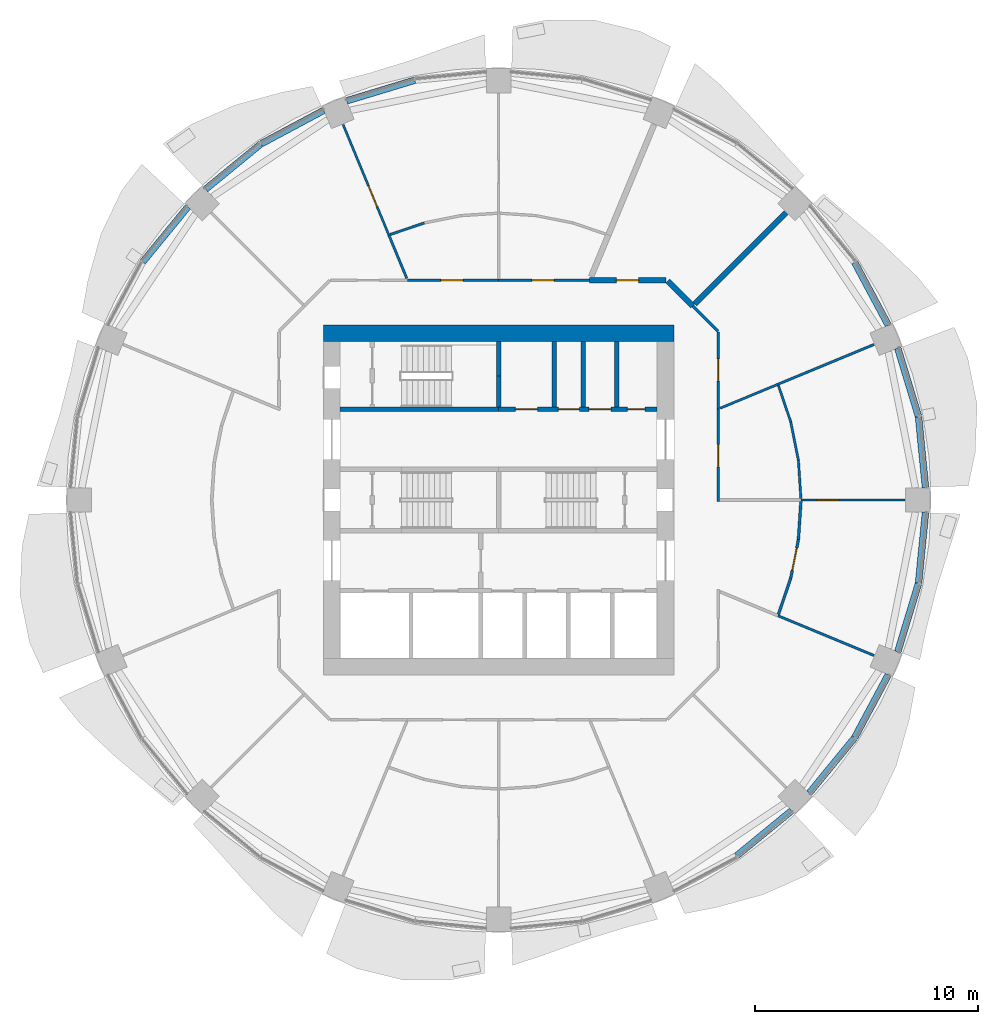
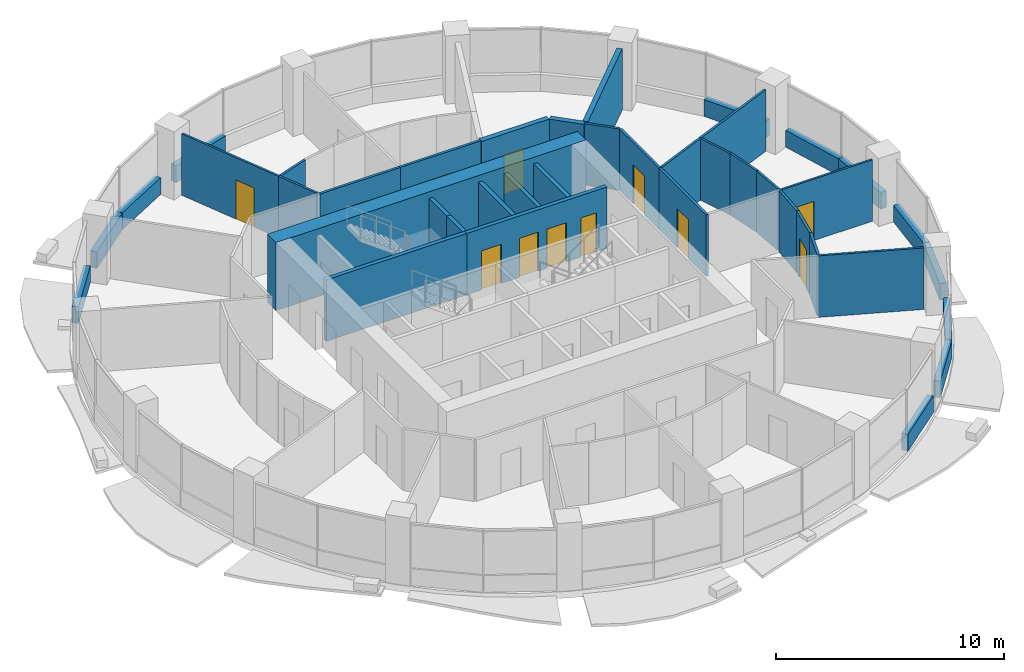
# One storey, part 10 of 15: 41 walls, 12 doors, 12 openings.
"""IFC4 building model written with IfcOpenShell, lengths in metres."""

from ifc_helpers import new_model, si_unit, direction, frame, frame_2d, origin, place, context, subcontext, project, spatial, rectangle, extrude, material, layer, layer_set, type_object, element, fill, save


model = new_model("IFC4")

# Units and contexts
model_context = context("Model", 3, precision=1e-05, world=origin(), true_north=direction((0.0, 1.0)))
body_context = subcontext(model_context, "Body", "Model", "MODEL_VIEW")
ifc_project = project(units=[si_unit("LENGTHUNIT", "METRE"), si_unit("AREAUNIT", "SQUARE_METRE"), si_unit("VOLUMEUNIT", "CUBIC_METRE"), si_unit("PLANEANGLEUNIT", "RADIAN"), si_unit("MASSUNIT", "GRAM", prefix="KILO")], contexts=[model_context])

# Site, building, storey
site_placement = place(None, origin())
site = spatial("IfcSite", under=ifc_project, at=site_placement, CompositionType="ELEMENT")
building_placement = place(site_placement, origin())
building = spatial("IfcBuilding", under=site, at=building_placement, Name="Polderwave Tower", CompositionType="ELEMENT")
storey_placement = place(building_placement, frame((0.0, 0.0, 72.75)))
storey = spatial("IfcBuildingStorey", under=building, at=storey_placement, Name="L18", CompositionType="ELEMENT", Elevation=72.75)

# Walls
ifc_material_1 = material(Name="Concrete C70/85", Category="concrete")
ifc_layer_1 = layer(ifc_material_1, 0.75)
ifc_layer_set_1 = layer_set([ifc_layer_1], Name="CORE WALL 750 C70/85")
wall_type_1 = type_object("IfcWallType", Name="CORE WALL 750 C70/85", PredefinedType="SHEAR", material=ifc_layer_set_1)
wall_1_placement = place(storey_placement, frame((-7.8740234375, 7.4990234375, 0.0), z_axis=(0.0, 0.0, 1.0), x_axis=(1.0, 0.0, 0.0)))
element("IfcWall", 1, at=wall_1_placement, inside=storey, type_object=wall_type_1, Name="ST-CORE-L18-N", PredefinedType="SHEAR", context=body_context, shape_type="SweptSolid", body=[
    extrude(rectangle(XDim=15.748046875, YDim=0.75, at=frame_2d((7.8740234375, 0.0))), origin(), (0.0, 0.0, 1.0), 3.64990234375),
])
ifc_material_2 = material(Name="Concrete C50/60 (board-marked)", Category="concrete")
ifc_layer_2 = layer(ifc_material_2, 0.300048828125)
ifc_layer_set_2 = layer_set([ifc_layer_2], Name="Concrete spandrel upstand C50/60")
wall_type_2 = type_object("IfcWallType", Name="Concrete spandrel upstand C50/60", PredefinedType="SOLIDWALL", material=ifc_layer_set_2)
wall_2_placement = place(storey_placement, frame((19.1845703125, 0.56396484375, 0.0), z_axis=(0.0, 0.0, 1.0), x_axis=(-0.098131861065, 0.995173420989, 0.0)))
element("IfcWall", 2, at=wall_2_placement, inside=storey, type_object=wall_type_2, Name="Spandrel L18 1a", PredefinedType="SOLIDWALL", context=body_context, shape_type="SweptSolid", body=[
    extrude(rectangle(XDim=3.189453125, YDim=0.300048828125, at=frame_2d((1.5947265625, 0.0))), origin(), (0.0, 0.0, 1.0), 0.89990234375),
])
wall_3_placement = place(storey_placement, frame((18.865478515625, 3.767333984375, 0.0), z_axis=(0.0, 0.0, 1.0), x_axis=(-0.290238876314, 0.956954228099, 0.0)))
element("IfcWall", 3, at=wall_3_placement, inside=storey, type_object=wall_type_2, Name="Spandrel L18 1b", PredefinedType="SOLIDWALL", context=body_context, shape_type="SweptSolid", body=[
    extrude(rectangle(XDim=3.190673828125, YDim=0.300048828125, at=frame_2d((1.59521484375, 0.0))), origin(), (0.0, 0.0, 1.0), 0.89990234375),
])
wall_4_placement = place(storey_placement, frame((17.5078125, 7.8623046875, 0.0), z_axis=(0.0, 0.0, 1.0), x_axis=(-0.471354692163, 0.8819437364, 0.0)))
element("IfcWall", 4, at=wall_4_placement, inside=storey, type_object=wall_type_2, Name="Spandrel L18 2a", PredefinedType="SOLIDWALL", context=body_context, shape_type="SweptSolid", body=[
    extrude(rectangle(XDim=3.190185546875, YDim=0.300048828125, at=frame_2d((1.59521484375, 0.0))), origin(), (0.0, 0.0, 1.0), 0.89990234375),
])
wall_5_placement = place(storey_placement, frame((-3.767333984375, 18.865478515625, 0.0), z_axis=(0.0, 0.0, 1.0), x_axis=(-0.956954228099, -0.290238876314, 0.0)))
element("IfcWall", 5, at=wall_5_placement, inside=storey, type_object=wall_type_2, Name="Spandrel L18 5b", PredefinedType="SOLIDWALL", context=body_context, shape_type="SweptSolid", body=[
    extrude(rectangle(XDim=3.190673828125, YDim=0.300048828125, at=frame_2d((1.59521484375, 0.0))), origin(), (0.0, 0.0, 1.0), 0.89990234375),
])
for number, where, z_axis, x_axis, name in (
    (6, (-7.8623046875, 17.5078125, 0.0), (0.0, 0.0, 1.0), (-0.8819437364, -0.471354692163, 0.0), "Spandrel L18 6a"),
    (7, (-10.70068359375, 15.987548828125, 0.0), (0.0, 0.0, 1.0), (-0.773240773387, -0.63411253447, 0.0), "Spandrel L18 6b"),
    (8, (-13.964599609375, 13.16748046875, 0.0), (0.0, 0.0, 1.0), (-0.63411253447, -0.773240773387, 0.0), "Spandrel L18 7a"),
    (9, (10.70068359375, -15.987548828125, 0.0), (0.0, 0.0, 1.0), (0.773240773387, 0.63411253447, 0.0), "Spandrel L18 14b"),
    (10, (13.964599609375, -13.16748046875, 0.0), (0.0, 0.0, 1.0), (0.63411253447, 0.773240773387, 0.0), "Spandrel L18 15a"),
    (11, (16.004150390625, -10.67578125, 0.0), (0.0, 0.0, 1.0), (0.471354692163, 0.8819437364, 0.0), "Spandrel L18 15b"),
):
    element("IfcWall", number, at=place(storey_placement, frame(where, z_axis=z_axis, x_axis=x_axis)), inside=storey, type_object=wall_type_2, Name=name, PredefinedType="SOLIDWALL", context=body_context, shape_type="SweptSolid", body=[
        extrude(rectangle(XDim=3.190185546875, YDim=0.300048828125, at=frame_2d((1.59521484375, 0.0))), origin(), (0.0, 0.0, 1.0), 0.89990234375),
    ])
wall_6_placement = place(storey_placement, frame((17.939453125, -6.820556640625, 0.0), z_axis=(0.0, 0.0, 1.0), x_axis=(0.290238876314, 0.956954228099, 0.0)))
element("IfcWall", 12, at=wall_6_placement, inside=storey, type_object=wall_type_2, Name="Spandrel L18 16a", PredefinedType="SOLIDWALL", context=body_context, shape_type="SweptSolid", body=[
    extrude(rectangle(XDim=3.190673828125, YDim=0.300048828125, at=frame_2d((1.59521484375, 0.0))), origin(), (0.0, 0.0, 1.0), 0.89990234375),
])
wall_7_placement = place(storey_placement, frame((18.87158203125, -3.738037109375, 0.0), z_axis=(0.0, 0.0, 1.0), x_axis=(0.098131861065, 0.995173420989, 0.0)))
element("IfcWall", 13, at=wall_7_placement, inside=storey, type_object=wall_type_2, Name="Spandrel L18 16b", PredefinedType="SOLIDWALL", context=body_context, shape_type="SweptSolid", body=[
    extrude(rectangle(XDim=3.189453125, YDim=0.300048828125, at=frame_2d((1.5947265625, 0.0))), origin(), (0.0, 0.0, 1.0), 0.89990234375),
])
ifc_material_3 = material(Name="Gypsum board partition")
ifc_layer_3 = layer(ifc_material_3, 0.199951171875)
ifc_layer_set_3 = layer_set([ifc_layer_3], Name="Core room partition 200")
wall_type_3 = type_object("IfcWallType", Name="Core room partition 200", PredefinedType="PARTITIONING", material=ifc_layer_set_3)
for number, where, z_axis, x_axis, name in (
    (14, (2.506591796875, 4.174072265625, 0.0), (0.0, 0.0, 1.0), (0.0, 1.0, 0.0), "L18 room partition N1"),
    (15, (3.813720703125, 4.174072265625, 0.0), (0.0, 0.0, 1.0), (0.0, 1.0, 0.0), "L18 room partition N2"),
):
    element("IfcWall", number, at=place(storey_placement, frame(where, z_axis=z_axis, x_axis=x_axis)), inside=storey, type_object=wall_type_3, Name=name, PredefinedType="PARTITIONING", context=body_context, shape_type="SweptSolid", body=[
        extrude(rectangle(XDim=2.949951171875, YDim=0.199951171875, at=frame_2d((1.47509765625, 0.0))), origin(), (0.0, 0.0, 1.0), 3.300048828125),
    ])
ifc_material_4 = material(Name="Concrete C50/60", Category="concrete")
ifc_layer_4 = layer(ifc_material_4, 0.199951171875)
ifc_layer_set_4 = layer_set([ifc_layer_4], Name="Core web wall 200")
wall_type_4 = type_object("IfcWallType", Name="Core web wall 200", PredefinedType="SHEAR", material=ifc_layer_set_4)
wall_8_placement = place(storey_placement, frame((-7.1240234375, 4.073974609375, 0.0), z_axis=(0.0, 0.0, 1.0), x_axis=(1.0, 0.0, 0.0)))
element("IfcWall", 16, at=wall_8_placement, inside=storey, type_object=wall_type_4, Name="L18 north front wall 1", PredefinedType="SHEAR", context=body_context, shape_type="SweptSolid", body=[
    extrude(rectangle(XDim=7.1240234375, YDim=0.199951171875, at=frame_2d((3.56201171875, 0.0))), origin(), (0.0, 0.0, 1.0), 3.300048828125),
])

# Wall, openings, doors
wall_9_placement = place(storey_placement, frame((0.0, 4.073974609375, 0.0), z_axis=(0.0, 0.0, 1.0), x_axis=(1.0, 0.0, 0.0)))
wall_9 = element("IfcWall", 17, at=wall_9_placement, inside=storey, type_object=wall_type_4, Name="L18 north front wall 2", PredefinedType="SHEAR", context=body_context, shape_type="SweptSolid", body=[
    extrude(rectangle(XDim=7.1240234375, YDim=0.199951171875, at=frame_2d((3.56201171875, 0.0))), origin(), (0.0, 0.0, 1.0), 3.300048828125),
])
opening_1_placement = place(wall_9_placement, frame((0.75341796875, 0.0, 0.0)))
opening_1 = element("IfcOpeningElement", 18, at=opening_1_placement, cuts=wall_9, Name="Opening L18-D14", PredefinedType="OPENING", context=body_context, shape_type="SweptSolid", body=[
    extrude(rectangle(XDim=1.0, YDim=2.10009765625, at=frame_2d((0.5, 1.050048828125))), frame((0.0, 0.10986328125, 0.0), z_axis=(0.0, -1.0, 0.0), x_axis=(1.0, 0.0, 0.0)), (0.0, 0.0, 1.0), 0.219970703125),
])
opening_2_placement = place(wall_9_placement, frame((2.685302734375, 0.0, 0.0)))
opening_2 = element("IfcOpeningElement", 19, at=opening_2_placement, cuts=wall_9, Name="Opening L18-D15", PredefinedType="OPENING", context=body_context, shape_type="SweptSolid", body=[
    extrude(rectangle(XDim=0.949951171875, YDim=2.10009765625, at=frame_2d((0.47509765625, 1.050048828125))), frame((0.0, 0.10986328125, 0.0), z_axis=(0.0, -1.0, 0.0), x_axis=(1.0, 0.0, 0.0)), (0.0, 0.0, 1.0), 0.219970703125),
])
opening_3_placement = place(wall_9_placement, frame((4.0595703125, 0.0, 0.0)))
opening_3 = element("IfcOpeningElement", 20, at=opening_3_placement, cuts=wall_9, Name="Opening L18-D16", PredefinedType="OPENING", context=body_context, shape_type="SweptSolid", body=[
    extrude(rectangle(XDim=1.0, YDim=2.10009765625, at=frame_2d((0.5, 1.050048828125))), frame((0.0, 0.10986328125, 0.0), z_axis=(0.0, -1.0, 0.0), x_axis=(1.0, 0.0, 0.0)), (0.0, 0.0, 1.0), 0.219970703125),
])
opening_4_placement = place(wall_9_placement, frame((5.789794921875, 0.0, 0.0)))
opening_4 = element("IfcOpeningElement", 21, at=opening_4_placement, cuts=wall_9, Name="Opening L18-D17", PredefinedType="OPENING", context=body_context, shape_type="SweptSolid", body=[
    extrude(rectangle(XDim=0.800048828125, YDim=2.10009765625, at=frame_2d((0.39990234375, 1.050048828125))), frame((0.0, 0.10986328125, 0.0), z_axis=(0.0, -1.0, 0.0), x_axis=(1.0, 0.0, 0.0)), (0.0, 0.0, 1.0), 0.219970703125),
])
ifc_material_5 = material(Name="Steel fire door", Category="steel")
door_type_1 = type_object("IfcDoorType", Name="Riser door 800", OperationType="NOTDEFINED", PredefinedType="DOOR", material=ifc_material_5)
door_1_placement = place(opening_4_placement, frame((0.800048828125, 0.0, 0.0), z_axis=(0.0, 0.0, 1.0), x_axis=(-1.0, 0.0, 0.0)))
door_1 = element("IfcDoor", 22, at=door_1_placement, inside=storey, type_object=door_type_1, Name="Riser door", OperationType="SINGLE_SWING_LEFT", OverallHeight=2.10009765625, OverallWidth=0.800048828125, PredefinedType="DOOR", context=body_context, shape_type="SweptSolid", body=[
    extrude(rectangle(XDim=0.800048828125, YDim=2.10009765625, at=frame_2d((0.39990234375, 1.050048828125))), frame((0.0, 0.02490234375, 0.0), z_axis=(0.0, -1.0, 0.0), x_axis=(1.0, 0.0, 0.0)), (0.0, 0.0, 1.0), 0.050048828125),
])
fill(opening_4, door_1)
ifc_material_6 = material(Name="Timber door leaf", Category="wood")
door_type_2 = type_object("IfcDoorType", Name="Room door 1000", OperationType="NOTDEFINED", PredefinedType="DOOR", material=ifc_material_6)
door_2_placement = place(opening_1_placement, origin())
door_2 = element("IfcDoor", 23, at=door_2_placement, inside=storey, type_object=door_type_2, Name="Seed store door", OperationType="SINGLE_SWING_LEFT", OverallHeight=2.10009765625, OverallWidth=1.0, PredefinedType="DOOR", context=body_context, shape_type="SweptSolid", body=[
    extrude(rectangle(XDim=1.0, YDim=2.10009765625, at=frame_2d((0.5, 1.050048828125))), frame((0.0, 0.02490234375, 0.0), z_axis=(0.0, -1.0, 0.0), x_axis=(1.0, 0.0, 0.0)), (0.0, 0.0, 1.0), 0.050048828125),
])
fill(opening_1, door_2)
door_3_placement = place(opening_3_placement, origin())
door_3 = element("IfcDoor", 24, at=door_3_placement, inside=storey, type_object=door_type_2, Name="Staff WC door", OperationType="SINGLE_SWING_RIGHT", OverallHeight=2.10009765625, OverallWidth=1.0, PredefinedType="DOOR", context=body_context, shape_type="SweptSolid", body=[
    extrude(rectangle(XDim=1.0, YDim=2.10009765625, at=frame_2d((0.5, 1.050048828125))), frame((0.0, 0.02490234375, 0.0), z_axis=(0.0, -1.0, 0.0), x_axis=(1.0, 0.0, 0.0)), (0.0, 0.0, 1.0), 0.050048828125),
])
fill(opening_3, door_3)
door_type_3 = type_object("IfcDoorType", Name="Room door 950", OperationType="NOTDEFINED", PredefinedType="DOOR", material=ifc_material_6)
door_4_placement = place(opening_2_placement, origin())
door_4 = element("IfcDoor", 25, at=door_4_placement, inside=storey, type_object=door_type_3, Name="Cleaner's store door", OperationType="SINGLE_SWING_LEFT", OverallHeight=2.10009765625, OverallWidth=0.949951171875, PredefinedType="DOOR", context=body_context, shape_type="SweptSolid", body=[
    extrude(rectangle(XDim=0.949951171875, YDim=2.10009765625, at=frame_2d((0.47509765625, 1.050048828125))), frame((0.0, 0.02490234375, 0.0), z_axis=(0.0, -1.0, 0.0), x_axis=(1.0, 0.0, 0.0)), (0.0, 0.0, 1.0), 0.050048828125),
])
fill(opening_2, door_4)

# Walls
wall_10_placement = place(storey_placement, frame((0.0, 4.174072265625, 0.0), z_axis=(0.0, 0.0, 1.0), x_axis=(0.0, 1.0, 0.0)))
element("IfcWall", 26, at=wall_10_placement, inside=storey, type_object=wall_type_4, Name="L18 stair C wall south", PredefinedType="SHEAR", context=body_context, shape_type="SweptSolid", body=[
    extrude(rectangle(XDim=1.39990234375, YDim=0.199951171875, at=frame_2d((0.699951171875, 0.0))), origin(), (0.0, 0.0, 1.0), 3.300048828125),
])
wall_11_placement = place(storey_placement, frame((0.0, 5.573974609375, 0.0), z_axis=(0.0, 0.0, 1.0), x_axis=(0.0, 1.0, 0.0)))
element("IfcWall", 27, at=wall_11_placement, inside=storey, type_object=wall_type_4, Name="L18 stair C wall north", PredefinedType="SHEAR", context=body_context, shape_type="SweptSolid", body=[
    extrude(rectangle(XDim=1.550048828125, YDim=0.199951171875, at=frame_2d((0.77490234375, 0.0))), origin(), (0.0, 0.0, 1.0), 3.300048828125),
])

# Wall, opening, door
ifc_material_7 = material(Name="Fire-resisting board on steel studs", Category="steel")
ifc_layer_5 = layer(ifc_material_7, 0.125)
ifc_layer_set_5 = layer_set([ifc_layer_5], Name="Corridor wall 125 mm EI 60")
wall_type_5 = type_object("IfcWallType", Name="Corridor wall 125 mm EI 60", PredefinedType="PARTITIONING", material=ifc_layer_set_5)
wall_12_placement = place(storey_placement, frame((9.8740234375, 4.08984375, 0.0), z_axis=(0.0, 0.0, 1.0), x_axis=(0.0, -1.0, 0.0)))
wall_12 = element("IfcWall", 28, at=wall_12_placement, inside=storey, type_object=wall_type_5, Name="IN-L18-W001", PredefinedType="PARTITIONING", context=body_context, shape_type="SweptSolid", body=[
    extrude(rectangle(XDim=4.15234375, YDim=0.125, at=frame_2d((2.076171875, 0.0))), origin(), (0.0, 0.0, 1.0), 3.300048828125),
])
opening_5_placement = place(wall_12_placement, frame((1.60009765625, 0.0, 0.0)))
opening_5 = element("IfcOpeningElement", 29, at=opening_5_placement, cuts=wall_12, Name="Opening L18-D50", PredefinedType="OPENING", context=body_context, shape_type="SweptSolid", body=[
    extrude(rectangle(XDim=1.0, YDim=2.10009765625, at=frame_2d((0.5, 1.050048828125))), frame((0.0, 0.072509765625, 0.0), z_axis=(0.0, -1.0, 0.0), x_axis=(1.0, 0.0, 0.0)), (0.0, 0.0, 1.0), 0.14501953125),
])
ifc_material_8 = material(Name="Timber fire door leaf", Category="wood")
door_type_4 = type_object("IfcDoorType", Name="Fire door FD30S 1000 x 2100", OperationType="NOTDEFINED", PredefinedType="DOOR", material=ifc_material_8)
door_5_placement = place(opening_5_placement, origin())
door_5 = element("IfcDoor", 30, at=door_5_placement, inside=storey, type_object=door_type_4, Name="Door L18-D50", OperationType="SINGLE_SWING_RIGHT", OverallHeight=2.10009765625, OverallWidth=1.0, PredefinedType="DOOR", context=body_context, shape_type="SweptSolid", body=[
    extrude(rectangle(XDim=1.0, YDim=2.10009765625, at=frame_2d((0.5, 1.050048828125))), frame((0.0, 0.02490234375, 0.0), z_axis=(0.0, -1.0, 0.0), x_axis=(1.0, 0.0, 0.0)), (0.0, 0.0, 1.0), 0.050048828125),
])
fill(opening_5, door_5)

# Wall
wall_13_placement = place(storey_placement, frame((8.722412109375, 8.722412109375, 0.0), z_axis=(0.0, 0.0, 1.0), x_axis=(0.70718294931, -0.707030604857, 0.0)))
element("IfcWall", 31, at=wall_13_placement, inside=storey, type_object=wall_type_5, Name="IN-L18-W002", PredefinedType="PARTITIONING", context=body_context, shape_type="SweptSolid", body=[
    extrude(rectangle(XDim=1.6025390625, YDim=0.125, at=frame_2d((0.80126953125, 0.0))), origin(), (0.0, 0.0, 1.0), 3.300048828125),
])

# Wall, opening, door
wall_14_placement = place(storey_placement, frame((9.8740234375, 7.545166015625, 0.0), z_axis=(0.0, 0.0, 1.0), x_axis=(0.0, -1.0, 0.0)))
wall_14 = element("IfcWall", 32, at=wall_14_placement, inside=storey, type_object=wall_type_5, Name="IN-L18-W003", PredefinedType="PARTITIONING", context=body_context, shape_type="SweptSolid", body=[
    extrude(rectangle(XDim=3.455322265625, YDim=0.125, at=frame_2d((1.7275390625, 0.0))), origin(), (0.0, 0.0, 1.0), 3.300048828125),
])
opening_6_placement = place(wall_14_placement, frame((1.199951171875, 0.0, 0.0)))
opening_6 = element("IfcOpeningElement", 33, at=opening_6_placement, cuts=wall_14, Name="Opening L18-D51", PredefinedType="OPENING", context=body_context, shape_type="SweptSolid", body=[
    extrude(rectangle(XDim=1.0, YDim=2.10009765625, at=frame_2d((0.5, 1.050048828125))), frame((0.0, 0.072509765625, 0.0), z_axis=(0.0, -1.0, 0.0), x_axis=(1.0, 0.0, 0.0)), (0.0, 0.0, 1.0), 0.14501953125),
])
door_6_placement = place(opening_6_placement, origin())
door_6 = element("IfcDoor", 34, at=door_6_placement, inside=storey, type_object=door_type_4, Name="Door L18-D51", OperationType="SINGLE_SWING_LEFT", OverallHeight=2.10009765625, OverallWidth=1.0, PredefinedType="DOOR", context=body_context, shape_type="SweptSolid", body=[
    extrude(rectangle(XDim=1.0, YDim=2.10009765625, at=frame_2d((0.5, 1.050048828125))), frame((0.0, 0.02490234375, 0.0), z_axis=(0.0, -1.0, 0.0), x_axis=(1.0, 0.0, 0.0)), (0.0, 0.0, 1.0), 0.050048828125),
])
fill(opening_6, door_6)

wall_15_placement = place(storey_placement, frame((0.0, 9.8740234375, 0.0), z_axis=(0.0, 0.0, 1.0), x_axis=(1.0, 0.0, 0.0)))
wall_15 = element("IfcWall", 35, at=wall_15_placement, inside=storey, type_object=wall_type_5, Name="IN-L18-W008", PredefinedType="PARTITIONING", context=body_context, shape_type="SweptSolid", body=[
    extrude(rectangle(XDim=4.08984375, YDim=0.125, at=frame_2d((2.044921875, 0.0))), origin(), (0.0, 0.0, 1.0), 3.300048828125),
])
opening_7_placement = place(wall_15_placement, frame((1.5, 0.0, 0.0)))
opening_7 = element("IfcOpeningElement", 36, at=opening_7_placement, cuts=wall_15, Name="Opening L18-D54", PredefinedType="OPENING", context=body_context, shape_type="SweptSolid", body=[
    extrude(rectangle(XDim=1.0, YDim=2.10009765625, at=frame_2d((0.5, 1.050048828125))), frame((0.0, 0.072509765625, 0.0), z_axis=(0.0, -1.0, 0.0), x_axis=(1.0, 0.0, 0.0)), (0.0, 0.0, 1.0), 0.14501953125),
])
door_7_placement = place(opening_7_placement, origin())
door_7 = element("IfcDoor", 37, at=door_7_placement, inside=storey, type_object=door_type_4, Name="Door L18-D54", OperationType="SINGLE_SWING_LEFT", OverallHeight=2.10009765625, OverallWidth=1.0, PredefinedType="DOOR", context=body_context, shape_type="SweptSolid", body=[
    extrude(rectangle(XDim=1.0, YDim=2.10009765625, at=frame_2d((0.5, 1.050048828125))), frame((0.0, 0.02490234375, 0.0), z_axis=(0.0, -1.0, 0.0), x_axis=(1.0, 0.0, 0.0)), (0.0, 0.0, 1.0), 0.050048828125),
])
fill(opening_7, door_7)

wall_16_placement = place(storey_placement, frame((-4.08984375, 9.8740234375, 0.0), z_axis=(0.0, 0.0, 1.0), x_axis=(1.0, 0.0, 0.0)))
wall_16 = element("IfcWall", 38, at=wall_16_placement, inside=storey, type_object=wall_type_5, Name="IN-L18-W009", PredefinedType="PARTITIONING", context=body_context, shape_type="SweptSolid", body=[
    extrude(rectangle(XDim=4.08984375, YDim=0.125, at=frame_2d((2.044921875, 0.0))), origin(), (0.0, 0.0, 1.0), 3.300048828125),
])
opening_8_placement = place(wall_16_placement, frame((1.5, 0.0, 0.0)))
opening_8 = element("IfcOpeningElement", 39, at=opening_8_placement, cuts=wall_16, Name="Opening L18-D55", PredefinedType="OPENING", context=body_context, shape_type="SweptSolid", body=[
    extrude(rectangle(XDim=1.0, YDim=2.10009765625, at=frame_2d((0.5, 1.050048828125))), frame((0.0, 0.072509765625, 0.0), z_axis=(0.0, -1.0, 0.0), x_axis=(1.0, 0.0, 0.0)), (0.0, 0.0, 1.0), 0.14501953125),
])
door_8_placement = place(opening_8_placement, origin())
door_8 = element("IfcDoor", 40, at=door_8_placement, inside=storey, type_object=door_type_4, Name="Door L18-D55", OperationType="SINGLE_SWING_LEFT", OverallHeight=2.10009765625, OverallWidth=1.0, PredefinedType="DOOR", context=body_context, shape_type="SweptSolid", body=[
    extrude(rectangle(XDim=1.0, YDim=2.10009765625, at=frame_2d((0.5, 1.050048828125))), frame((0.0, 0.02490234375, 0.0), z_axis=(0.0, -1.0, 0.0), x_axis=(1.0, 0.0, 0.0)), (0.0, 0.0, 1.0), 0.050048828125),
])
fill(opening_8, door_8)

# Wall
wall_17_placement = place(storey_placement, frame((13.12548828125, -3.521240234375, 0.0), z_axis=(0.0, 0.0, 1.0), x_axis=(-0.321415455279, -0.946938279461, 0.0)))
element("IfcWall", 41, at=wall_17_placement, inside=storey, type_object=wall_type_5, Name="IN-L18-W069", PredefinedType="PARTITIONING", context=body_context, shape_type="SweptSolid", body=[
    extrude(rectangle(XDim=1.706787109375, YDim=0.125, at=frame_2d((0.853515625, 0.0))), origin(), (0.0, 0.0, 1.0), 3.300048828125),
])

# Wall, opening, door
wall_18_placement = place(storey_placement, frame((13.472900390625, -1.77783203125, 0.0), z_axis=(0.0, 0.0, 1.0), x_axis=(-0.195081294896, -0.980787075966, 0.0)))
wall_18 = element("IfcWall", 42, at=wall_18_placement, inside=storey, type_object=wall_type_5, Name="IN-L18-W070", PredefinedType="PARTITIONING", context=body_context, shape_type="SweptSolid", body=[
    extrude(rectangle(XDim=1.76953125, YDim=0.125, at=frame_2d((0.884765625, 0.0))), origin(), (0.0, 0.0, 1.0), 3.300048828125),
])
opening_9_placement = place(wall_18_placement, frame((0.39990234375, 0.0, 0.0)))
opening_9 = element("IfcOpeningElement", 43, at=opening_9_placement, cuts=wall_18, Name="Opening L18-D69", PredefinedType="OPENING", context=body_context, shape_type="SweptSolid", body=[
    extrude(rectangle(XDim=1.0, YDim=2.10009765625, at=frame_2d((0.5, 1.050048828125))), frame((0.0, 0.072509765625, 0.0), z_axis=(0.0, -1.0, 0.0), x_axis=(1.0, 0.0, 0.0)), (0.0, 0.0, 1.0), 0.14501953125),
])
door_9_placement = place(opening_9_placement, origin())
door_9 = element("IfcDoor", 44, at=door_9_placement, inside=storey, type_object=door_type_4, Name="Door L18-D69", OperationType="SINGLE_SWING_RIGHT", OverallHeight=2.10009765625, OverallWidth=1.0, PredefinedType="DOOR", context=body_context, shape_type="SweptSolid", body=[
    extrude(rectangle(XDim=1.0, YDim=2.10009765625, at=frame_2d((0.5, 1.050048828125))), frame((0.0, 0.02490234375, 0.0), z_axis=(0.0, -1.0, 0.0), x_axis=(1.0, 0.0, 0.0)), (0.0, 0.0, 1.0), 0.050048828125),
])
fill(opening_9, door_9)

# Wall
wall_19_placement = place(storey_placement, frame((13.585693359375, -0.066650390625, 0.0), z_axis=(0.0, 0.0, 1.0), x_axis=(-0.06537019983, -0.997861081, 0.0)))
element("IfcWall", 45, at=wall_19_placement, inside=storey, type_object=wall_type_5, Name="IN-L18-W071", PredefinedType="PARTITIONING", context=body_context, shape_type="SweptSolid", body=[
    extrude(rectangle(XDim=1.706787109375, YDim=0.125, at=frame_2d((0.853515625, 0.0))), origin(), (0.0, 0.0, 1.0), 3.300048828125),
])

# Wall, opening, door
ifc_material_9 = material(Name="Plasterboard on steel studs", Category="steel")
ifc_layer_6 = layer(ifc_material_9, 0.10009765625)
ifc_layer_set_6 = layer_set([ifc_layer_6], Name="Partition 100 mm plasterboard on steel studs")
wall_type_6 = type_object("IfcWallType", Name="Partition 100 mm plasterboard on steel studs", PredefinedType="PARTITIONING", material=ifc_layer_set_6)
wall_20_placement = place(storey_placement, frame((13.590087890625, 0.0, 0.0), z_axis=(0.0, 0.0, 1.0), x_axis=(1.0, 0.0, 0.0)))
wall_20 = element("IfcWall", 46, at=wall_20_placement, inside=storey, type_object=wall_type_6, Name="IN-L18-W028", PredefinedType="PARTITIONING", context=body_context, shape_type="SweptSolid", body=[
    extrude(rectangle(XDim=4.669921875, YDim=0.10009765625, at=frame_2d((2.3349609375, 0.0))), origin(), (0.0, 0.0, 1.0), 3.300048828125),
])
opening_10_placement = place(wall_20_placement, frame((0.699951171875, 0.0, 0.0)))
opening_10 = element("IfcOpeningElement", 47, at=opening_10_placement, cuts=wall_20, Name="Opening L18-D63", PredefinedType="OPENING", context=body_context, shape_type="SweptSolid", body=[
    extrude(rectangle(XDim=1.0, YDim=2.10009765625, at=frame_2d((0.5, 1.050048828125))), frame((0.0, 0.06005859375, 0.0), z_axis=(0.0, -1.0, 0.0), x_axis=(1.0, 0.0, 0.0)), (0.0, 0.0, 1.0), 0.1201171875),
])
ifc_material_10 = material(Name="Timber veneer door leaf", Category="wood")
door_type_5 = type_object("IfcDoorType", Name="Single door 1000 x 2100", OperationType="NOTDEFINED", PredefinedType="DOOR", material=ifc_material_10)
door_10_placement = place(opening_10_placement, origin())
door_10 = element("IfcDoor", 48, at=door_10_placement, inside=storey, type_object=door_type_5, Name="Door L18-D63", OperationType="SINGLE_SWING_LEFT", OverallHeight=2.10009765625, OverallWidth=1.0, PredefinedType="DOOR", context=body_context, shape_type="SweptSolid", body=[
    extrude(rectangle(XDim=1.0, YDim=2.10009765625, at=frame_2d((0.5, 1.050048828125))), frame((0.0, 0.02490234375, 0.0), z_axis=(0.0, -1.0, 0.0), x_axis=(1.0, 0.0, 0.0)), (0.0, 0.0, 1.0), 0.050048828125),
])
fill(opening_10, door_10)

wall_21_placement = place(storey_placement, frame((-6.98779296875, 16.8701171875, 0.0), z_axis=(0.0, 0.0, 1.0), x_axis=(0.382658286204, -0.923889947991, 0.0)))
wall_21 = element("IfcWall", 49, at=wall_21_placement, inside=storey, type_object=wall_type_6, Name="IN-L18-W041", PredefinedType="PARTITIONING", context=body_context, shape_type="SweptSolid", body=[
    extrude(rectangle(XDim=5.3701171875, YDim=0.10009765625, at=frame_2d((2.68505859375, 0.0))), origin(), (0.0, 0.0, 1.0), 3.300048828125),
])
opening_11_placement = place(wall_21_placement, frame((3.0, 0.0, 0.0)))
opening_11 = element("IfcOpeningElement", 50, at=opening_11_placement, cuts=wall_21, Name="Opening L18-D65", PredefinedType="OPENING", context=body_context, shape_type="SweptSolid", body=[
    extrude(rectangle(XDim=1.0, YDim=2.10009765625, at=frame_2d((0.5, 1.050048828125))), frame((0.0, 0.06005859375, 0.0), z_axis=(0.0, -1.0, 0.0), x_axis=(1.0, 0.0, 0.0)), (0.0, 0.0, 1.0), 0.1201171875),
])
door_11_placement = place(opening_11_placement, origin())
door_11 = element("IfcDoor", 51, at=door_11_placement, inside=storey, type_object=door_type_5, Name="Door L18-D65", OperationType="SINGLE_SWING_RIGHT", OverallHeight=2.10009765625, OverallWidth=1.0, PredefinedType="DOOR", context=body_context, shape_type="SweptSolid", body=[
    extrude(rectangle(XDim=1.0, YDim=2.10009765625, at=frame_2d((0.5, 1.050048828125))), frame((0.0, 0.02490234375, 0.0), z_axis=(0.0, -1.0, 0.0), x_axis=(1.0, 0.0, 0.0)), (0.0, 0.0, 1.0), 0.050048828125),
])
fill(opening_11, door_11)

# Walls
ifc_material_11 = material(Name="Moisture-resistant board on steel studs, tiled", Category="steel")
ifc_layer_7 = layer(ifc_material_11, 0.10498046875)
ifc_layer_set_7 = layer_set([ifc_layer_7], Name="Partition 105 mm wet room board and tile")
wall_type_7 = type_object("IfcWallType", Name="Partition 105 mm wet room board and tile", PredefinedType="PARTITIONING", material=ifc_layer_set_7)
wall_22_placement = place(storey_placement, frame((12.57421875, 5.145263671875, 0.0), z_axis=(0.0, 0.0, 1.0), x_axis=(0.32147409201, -0.946918374606, 0.0)))
element("IfcWall", 52, at=wall_22_placement, inside=storey, type_object=wall_type_7, Name="IN-L18-W022", PredefinedType="PARTITIONING", context=body_context, shape_type="SweptSolid", body=[
    extrude(rectangle(XDim=1.715576171875, YDim=0.10498046875, at=frame_2d((0.85791015625, 0.0))), origin(), (0.0, 0.0, 1.0), 3.300048828125),
])
wall_23_placement = place(storey_placement, frame((13.127685546875, 3.513916015625, 0.0), z_axis=(0.0, 0.0, 1.0), x_axis=(0.194975762397, -0.980808060773, 0.0)))
element("IfcWall", 53, at=wall_23_placement, inside=storey, type_object=wall_type_7, Name="IN-L18-W023", PredefinedType="PARTITIONING", context=body_context, shape_type="SweptSolid", body=[
    extrude(rectangle(XDim=1.7705078125, YDim=0.10498046875, at=frame_2d((0.88525390625, 0.0))), origin(), (0.0, 0.0, 1.0), 3.300048828125),
])
wall_24_placement = place(storey_placement, frame((13.473876953125, 1.7705078125, 0.0), z_axis=(0.0, 0.0, 1.0), x_axis=(0.065456571456, -0.997855419013, 0.0)))
element("IfcWall", 54, at=wall_24_placement, inside=storey, type_object=wall_type_7, Name="IN-L18-W024", PredefinedType="PARTITIONING", context=body_context, shape_type="SweptSolid", body=[
    extrude(rectangle(XDim=1.708251953125, YDim=0.10498046875, at=frame_2d((0.85400390625, 0.0))), origin(), (0.0, 0.0, 1.0), 3.300048828125),
])
wall_25_placement = place(storey_placement, frame((9.95654296875, 4.1240234375, 0.0), z_axis=(0.0, 0.0, 1.0), x_axis=(0.923858155589, 0.382735036745, 0.0)))
element("IfcWall", 55, at=wall_25_placement, inside=storey, type_object=wall_type_7, Name="IN-L18-W025", PredefinedType="PARTITIONING", context=body_context, shape_type="SweptSolid", body=[
    extrude(rectangle(XDim=2.81298828125, YDim=0.10498046875, at=frame_2d((1.406494140625, 0.0))), origin(), (0.0, 0.0, 1.0), 3.300048828125),
])
ifc_material_12 = material(Name="Acoustic double plasterboard on steel studs", Category="steel")
ifc_layer_8 = layer(ifc_material_12, 0.110107421875)
ifc_layer_set_8 = layer_set([ifc_layer_8], Name="Partition 110 mm acoustic double board")
wall_type_8 = type_object("IfcWallType", Name="Partition 110 mm acoustic double board", PredefinedType="PARTITIONING", material=ifc_layer_set_8)
wall_26_placement = place(storey_placement, frame((12.555419921875, 5.20068359375, 0.0), z_axis=(0.0, 0.0, 1.0), x_axis=(0.923886856779, 0.38266574954, 0.0)))
element("IfcWall", 56, at=wall_26_placement, inside=storey, type_object=wall_type_8, Name="IN-L18-W027", PredefinedType="PARTITIONING", context=body_context, shape_type="SweptSolid", body=[
    extrude(rectangle(XDim=4.670166015625, YDim=0.110107421875, at=frame_2d((2.3349609375, 0.0))), origin(), (0.0, 0.0, 1.0), 3.300048828125),
])
wall_27_placement = place(storey_placement, frame((-4.877197265625, 11.927734375, 0.0), z_axis=(0.0, 0.0, 1.0), x_axis=(0.946924771347, 0.321455249466, 0.0)))
element("IfcWall", 57, at=wall_27_placement, inside=storey, type_object=wall_type_8, Name="IN-L18-W037", PredefinedType="PARTITIONING", context=body_context, shape_type="SweptSolid", body=[
    extrude(rectangle(XDim=1.623779296875, YDim=0.110107421875, at=frame_2d((0.81201171875, 0.0))), origin(), (0.0, 0.0, 1.0), 3.300048828125),
])
wall_28_placement = place(storey_placement, frame((-4.12451171875, 9.95751953125, 0.0), z_axis=(0.0, 0.0, 1.0), x_axis=(-0.382743146737, 0.923854795748, 0.0)))
element("IfcWall", 58, at=wall_28_placement, inside=storey, type_object=wall_type_8, Name="IN-L18-W040", PredefinedType="PARTITIONING", context=body_context, shape_type="SweptSolid", body=[
    extrude(rectangle(XDim=2.112060546875, YDim=0.110107421875, at=frame_2d((1.05615234375, 0.0))), origin(), (0.0, 0.0, 1.0), 3.300048828125),
])
wall_29_placement = place(storey_placement, frame((12.555419921875, -5.20068359375, 0.0), z_axis=(0.0, 0.0, 1.0), x_axis=(0.923886856779, -0.38266574954, 0.0)))
element("IfcWall", 59, at=wall_29_placement, inside=storey, type_object=wall_type_8, Name="IN-L18-W068", PredefinedType="PARTITIONING", context=body_context, shape_type="SweptSolid", body=[
    extrude(rectangle(XDim=4.670166015625, YDim=0.110107421875, at=frame_2d((2.3349609375, 0.0))), origin(), (0.0, 0.0, 1.0), 3.300048828125),
])

# Wall, opening, door
ifc_material_13 = material(Name="Fire-resisting board on steel studs, mineral wool", Category="steel")
ifc_layer_9 = layer(ifc_material_13, 0.25)
ifc_layer_set_9 = layer_set([ifc_layer_9], Name="Plant room wall 250 mm EI 120")
wall_type_9 = type_object("IfcWallType", Name="Plant room wall 250 mm EI 120", PredefinedType="PARTITIONING", material=ifc_layer_set_9)
wall_30_placement = place(storey_placement, frame((4.08984375, 9.8740234375, 0.0), z_axis=(0.0, 0.0, 1.0), x_axis=(1.0, 0.0, 0.0)))
wall_30 = element("IfcWall", 60, at=wall_30_placement, inside=storey, type_object=wall_type_9, Name="IN-L18-W006", PredefinedType="PARTITIONING", context=body_context, shape_type="SweptSolid", body=[
    extrude(rectangle(XDim=3.429443359375, YDim=0.25, at=frame_2d((1.71484375, 0.0))), origin(), (0.0, 0.0, 1.0), 3.300048828125),
])
opening_12_placement = place(wall_30_placement, frame((1.199951171875, 0.0, 0.0)))
opening_12 = element("IfcOpeningElement", 61, at=opening_12_placement, cuts=wall_30, Name="Opening L18-D53", PredefinedType="OPENING", context=body_context, shape_type="SweptSolid", body=[
    extrude(rectangle(XDim=1.0, YDim=2.10009765625, at=frame_2d((0.5, 1.050048828125))), frame((0.0, 0.135009765625, 0.0), z_axis=(0.0, -1.0, 0.0), x_axis=(1.0, 0.0, 0.0)), (0.0, 0.0, 1.0), 0.27001953125),
])
ifc_material_14 = material(Name="Steel plant door leaf", Category="steel")
door_type_6 = type_object("IfcDoorType", Name="Plant door FD60 1000 x 2100 steel", OperationType="NOTDEFINED", PredefinedType="DOOR", material=ifc_material_14)
door_12_placement = place(opening_12_placement, origin())
door_12 = element("IfcDoor", 62, at=door_12_placement, inside=storey, type_object=door_type_6, Name="Door L18-D53", OperationType="SINGLE_SWING_LEFT", OverallHeight=2.10009765625, OverallWidth=1.0, PredefinedType="DOOR", context=body_context, shape_type="SweptSolid", body=[
    extrude(rectangle(XDim=1.0, YDim=2.10009765625, at=frame_2d((0.5, 1.050048828125))), frame((0.0, 0.02490234375, 0.0), z_axis=(0.0, -1.0, 0.0), x_axis=(1.0, 0.0, 0.0)), (0.0, 0.0, 1.0), 0.050048828125),
])
fill(opening_12, door_12)

# Walls
wall_31_placement = place(storey_placement, frame((7.607666015625, 9.83740234375, 0.0), z_axis=(0.0, 0.0, 1.0), x_axis=(0.707029353672, -0.707184200224, 0.0)))
element("IfcWall", 63, at=wall_31_placement, inside=storey, type_object=wall_type_9, Name="IN-L18-W007", PredefinedType="PARTITIONING", context=body_context, shape_type="SweptSolid", body=[
    extrude(rectangle(XDim=1.57666015625, YDim=0.25, at=frame_2d((0.788330078125, 0.0))), origin(), (0.0, 0.0, 1.0), 3.300048828125),
])
wall_32_placement = place(storey_placement, frame((12.911865234375, 12.911865234375, 0.0), z_axis=(0.0, 0.0, 1.0), x_axis=(-0.707106781187, -0.707106781187, 0.0)))
element("IfcWall", 64, at=wall_32_placement, inside=storey, type_object=wall_type_9, Name="IN-L18-W029", PredefinedType="PARTITIONING", context=body_context, shape_type="SweptSolid", body=[
    extrude(rectangle(XDim=5.7998046875, YDim=0.25, at=frame_2d((2.89990234375, 0.0))), origin(), (0.0, 0.0, 1.0), 3.300048828125),
])
ifc_material_15 = material(Name="Gypsum shaft wall system")
ifc_layer_10 = layer(ifc_material_15, 0.199951171875)
ifc_layer_set_10 = layer_set([ifc_layer_10], Name="Shaft wall 200")
wall_type_10 = type_object("IfcWallType", Name="Shaft wall 200", PredefinedType="PARTITIONING", material=ifc_layer_set_10)
wall_33_placement = place(storey_placement, frame((5.305419921875, 4.174072265625, 0.0), z_axis=(0.0, 0.0, 1.0), x_axis=(0.0, 1.0, 0.0)))
element("IfcWall", 65, at=wall_33_placement, inside=storey, type_object=wall_type_10, Name="L18 riser wall", PredefinedType="PARTITIONING", context=body_context, shape_type="SweptSolid", body=[
    extrude(rectangle(XDim=2.949951171875, YDim=0.199951171875, at=frame_2d((1.47509765625, 0.0))), origin(), (0.0, 0.0, 1.0), 3.300048828125),
])

save(model, "model.ifc")
